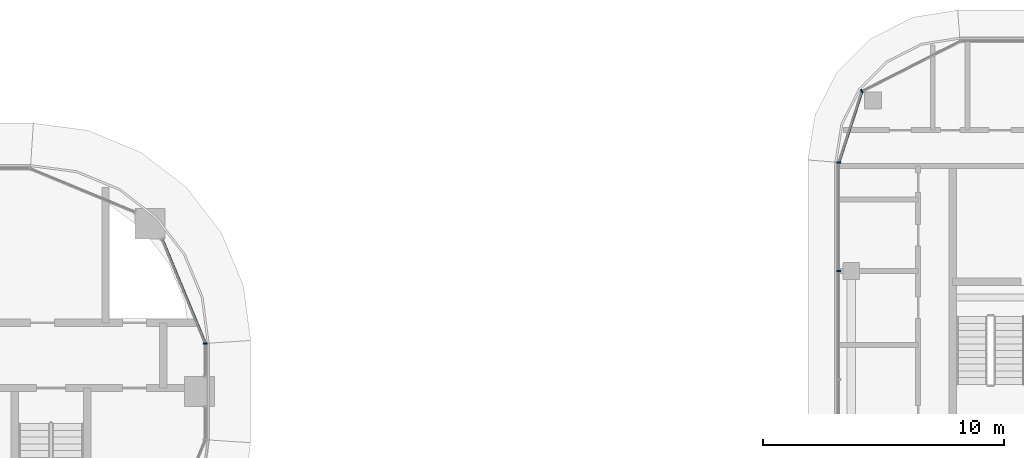
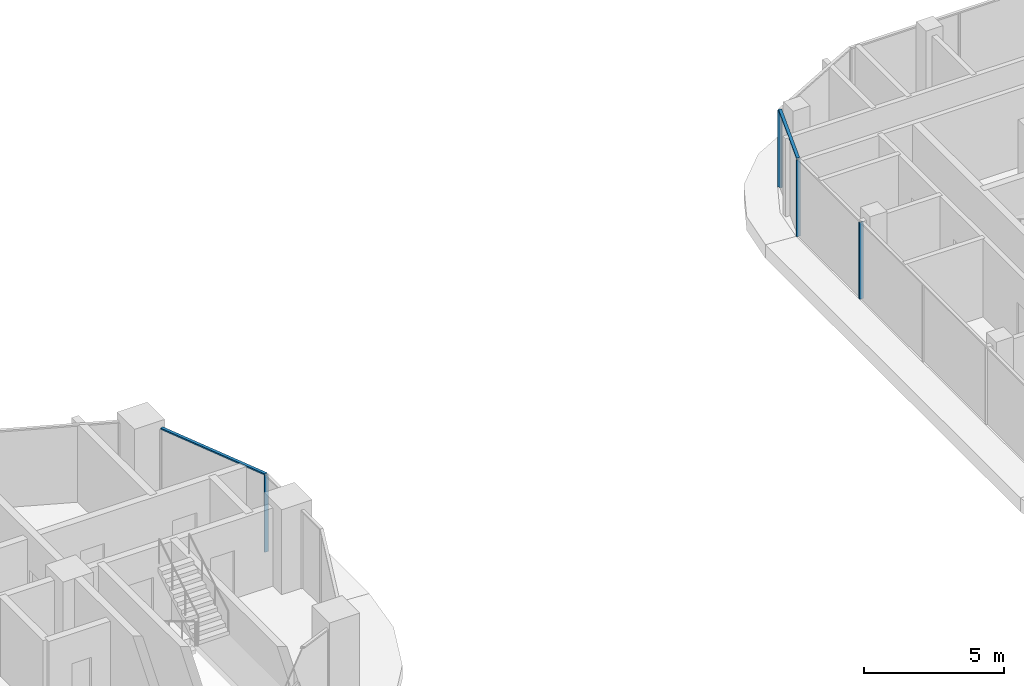
# One storey, part 8 of 33: 6 members, 4 elements without a shape of their own.
"""IFC4 building model written with IfcOpenShell, lengths in metres."""

from ifc_helpers import new_model, si_unit, direction, frame, origin, origin_2d, place, context, subcontext, project, spatial, rectangle, extrude, material, material_profile, profile_set, type_object, element, aggregate, save


model = new_model("IFC4")

# Units and contexts
model_context = context("Model", 3, precision=1e-05, world=origin(), true_north=direction((0.0, 1.0)))
body_context = subcontext(model_context, "Body", "Model", "MODEL_VIEW")
ifc_project = project(units=[si_unit("LENGTHUNIT", "METRE"), si_unit("AREAUNIT", "SQUARE_METRE"), si_unit("VOLUMEUNIT", "CUBIC_METRE"), si_unit("PLANEANGLEUNIT", "RADIAN"), si_unit("MASSUNIT", "GRAM", prefix="KILO")], contexts=[model_context])

# Site, building, storey
site_placement = place(None, origin())
site = spatial("IfcSite", under=ifc_project, at=site_placement, CompositionType="ELEMENT")
building_placement = place(site_placement, origin())
building = spatial("IfcBuilding", under=site, at=building_placement, Name="Ogive Portal Towers", CompositionType="ELEMENT")
storey_placement = place(building_placement, frame((0.0, 0.0, 98.199951171875)))
storey = spatial("IfcBuildingStorey", under=building, at=storey_placement, Name="L23", CompositionType="ELEMENT", Elevation=98.199951171875)

# Curtain wall, member
ifc_material_1 = material(Name="Glass, clear low-iron insulated glazing", Category="glass")
curtain_wall_type_1 = type_object("IfcCurtainWallType", Name="CW FRONT RIBBON 4500", PredefinedType="NOTDEFINED", material=ifc_material_1)
curtain_wall_1_placement = place(storey_placement, origin())
curtain_wall_1 = element("IfcCurtainWall", 1, at=curtain_wall_1_placement, inside=storey, type_object=curtain_wall_type_1, Name="A:L23:f23:cw0~1", PredefinedType="NOTDEFINED")
ifc_material_2 = material(Name="Aluminium 6063 anodised", Category="aluminium")
ifc_material_profile_1 = material_profile(ifc_material_2, rectangle(XDim=0.159912109375, YDim=0.06005859375, at=origin_2d()), Name="AL 60x160")
ifc_profile_set_1 = profile_set([ifc_material_profile_1], Name="Aluminium 6063 anodised")
member_type_1 = type_object("IfcMemberType", Name="CW MULLION 60x160", PredefinedType="MULLION", material=ifc_profile_set_1)
member_1_placement = place(storey_placement, frame((94.739990234375, 32.484130859375, 0.0), z_axis=(0.0, 0.0, 1.0), x_axis=(-1.0, 0.0, 0.0)))
member_1 = element("IfcMember", 2, at=member_1_placement, type_object=member_type_1, Name="mullion", PredefinedType="MULLION", context=body_context, shape_type="SweptSolid", body=[
    extrude(rectangle(XDim=0.159912109375, YDim=0.06005859375, at=origin_2d()), origin(), (0.0, 0.0, 1.0), 3.340087890625),
])
aggregate(curtain_wall_1, [member_1])

# Curtain wall, members
curtain_wall_type_2 = type_object("IfcCurtainWallType", Name="CW RESIDENCES RIBBON", PredefinedType="NOTDEFINED", material=ifc_material_1)
curtain_wall_2_placement = place(storey_placement, origin())
curtain_wall_2 = element("IfcCurtainWall", 3, at=curtain_wall_2_placement, inside=storey, type_object=curtain_wall_type_2, Name="B:L23:f11:cw0", PredefinedType="NOTDEFINED")
member_2_placement = place(storey_placement, frame((120.97998046875, 39.9873046875, 0.0), z_axis=(0.0, 0.0, 1.0), x_axis=(1.0, 0.0, 0.0)))
member_2 = element("IfcMember", 4, at=member_2_placement, type_object=member_type_1, Name="mullion", PredefinedType="MULLION", context=body_context, shape_type="SweptSolid", body=[
    extrude(rectangle(XDim=0.159912109375, YDim=0.06005859375, at=origin_2d()), origin(), (0.0, 0.0, 1.0), 3.340087890625),
])
member_3_placement = place(storey_placement, frame((120.97998046875, 35.5, 0.0), z_axis=(0.0, 0.0, 1.0), x_axis=(1.0, 0.0, 0.0)))
member_3 = element("IfcMember", 5, at=member_3_placement, type_object=member_type_1, Name="mullion", PredefinedType="MULLION", context=body_context, shape_type="SweptSolid", body=[
    extrude(rectangle(XDim=0.159912109375, YDim=0.06005859375, at=origin_2d()), origin(), (0.0, 0.0, 1.0), 3.340087890625),
])
aggregate(curtain_wall_2, [member_2, member_3])

# Curtain wall, member
curtain_wall_3_placement = place(storey_placement, origin())
curtain_wall_3 = element("IfcCurtainWall", 6, at=curtain_wall_3_placement, inside=storey, type_object=curtain_wall_type_2, Name="B:L23:f09:cwa", PredefinedType="NOTDEFINED")
member_4_placement = place(storey_placement, frame((121.93994140625, 42.94140625, 0.0), z_axis=(0.0, 0.0, 1.0), x_axis=(0.45399049974, -0.891006524188, 0.0)))
member_4 = element("IfcMember", 7, at=member_4_placement, type_object=member_type_1, Name="mullion", PredefinedType="MULLION", context=body_context, shape_type="SweptSolid", body=[
    extrude(rectangle(XDim=0.159912109375, YDim=0.06005859375, at=origin_2d()), origin(), (0.0, 0.0, 1.0), 3.340087890625),
])

curtain_wall_4_placement = place(storey_placement, origin())
curtain_wall_4 = element("IfcCurtainWall", 8, at=curtain_wall_4_placement, inside=storey, type_object=curtain_wall_type_1, Name="A:L23:f24:cwa~0", PredefinedType="NOTDEFINED")
ifc_material_profile_2 = material_profile(ifc_material_2, rectangle(XDim=0.1201171875, YDim=0.06005859375, at=origin_2d()), Name="AL 120x60")
ifc_profile_set_2 = profile_set([ifc_material_profile_2], Name="Aluminium 6063 anodised")
member_type_2 = type_object("IfcMemberType", Name="CW TRANSOM 60x120", PredefinedType="USERDEFINED", material=ifc_profile_set_2)
member_5_placement = place(storey_placement, frame((94.739990234375, 32.484130859375, 3.3701171875), z_axis=(-0.382695977742, 0.923874335946, 0.0), x_axis=(-0.923874335946, -0.382695977742, 0.0)))
member_5 = element("IfcMember", 9, at=member_5_placement, type_object=member_type_2, Name="transom", ObjectType="TRANSOM", PredefinedType="USERDEFINED", context=body_context, shape_type="SweptSolid", body=[
    extrude(rectangle(XDim=0.1201171875, YDim=0.06005859375, at=origin_2d()), origin(), (0.0, 0.0, 1.0), 4.698486328125),
])
aggregate(curtain_wall_4, [member_5])

# Member
member_6_placement = place(storey_placement, frame((121.93994140625, 42.94140625, 3.3701171875), z_axis=(-0.309050527153, -0.951045620181, 0.0), x_axis=(0.951045620181, -0.309050527153, 0.0)))
member_6 = element("IfcMember", 10, at=member_6_placement, type_object=member_type_2, Name="transom", ObjectType="TRANSOM", PredefinedType="USERDEFINED", context=body_context, shape_type="SweptSolid", body=[
    extrude(rectangle(XDim=0.1201171875, YDim=0.06005859375, at=origin_2d()), origin(), (0.0, 0.0, 1.0), 3.106201171875),
])

aggregate(curtain_wall_3, [member_6, member_4])

save(model, "model.ifc")
